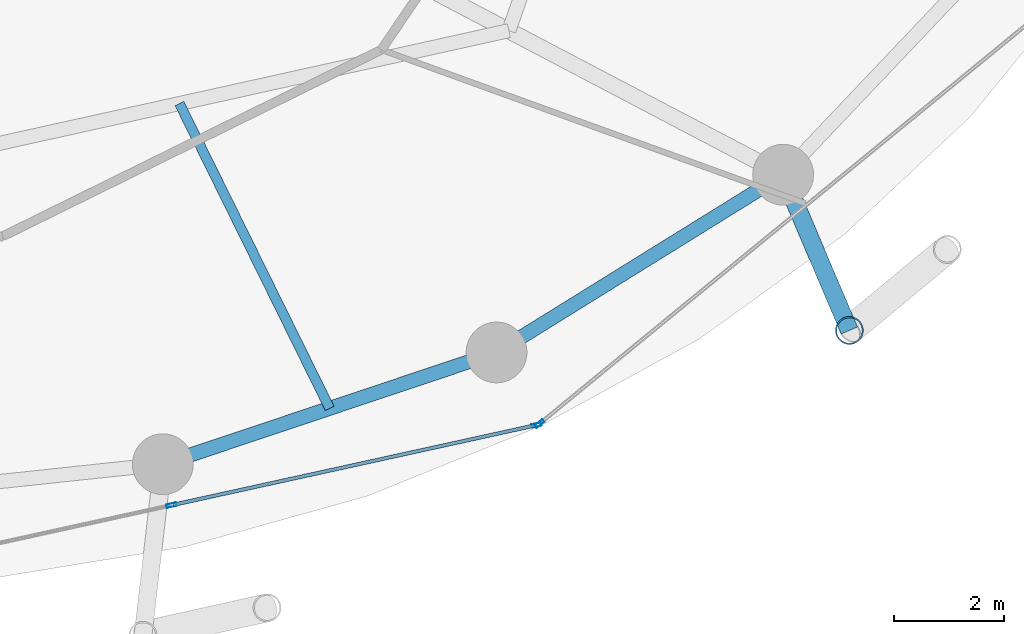
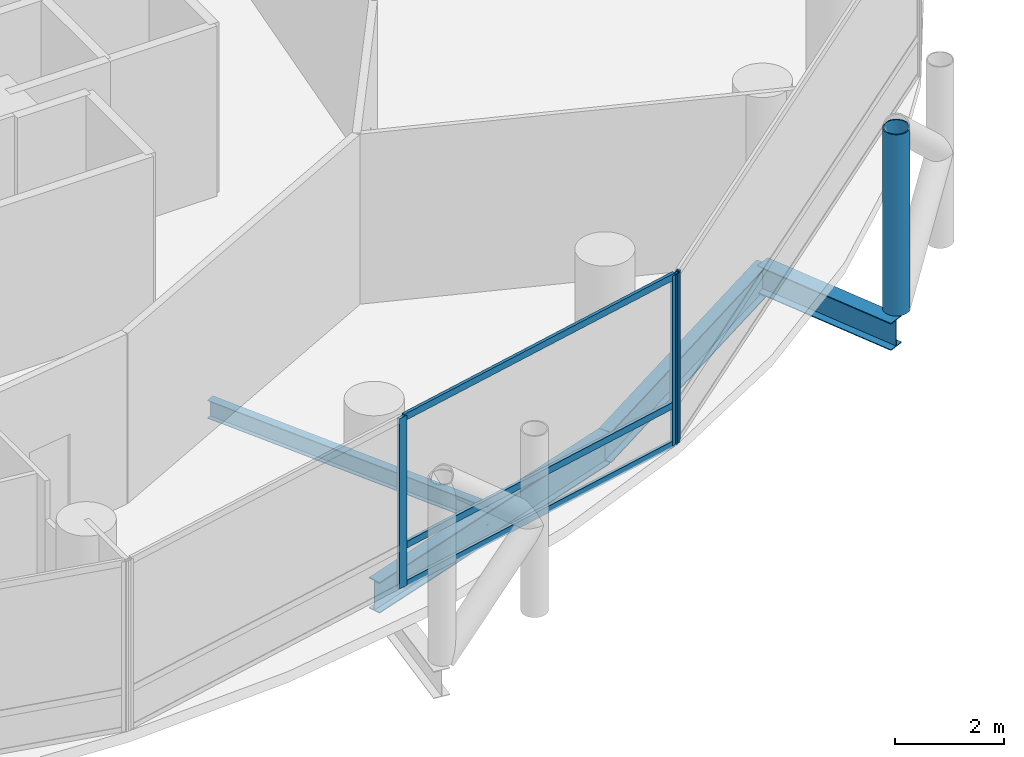
# One storey, part 8 of 25: 7 members, 4 beams, 2 elements without a shape of their own.
"""IFC4 building model written with IfcOpenShell, lengths in metres."""

from ifc_helpers import new_model, si_unit, direction, frame, origin, origin_2d, place, context, subcontext, project, spatial, hollow_rectangle, hollow_circle, i_section, extrude, material, layer, layer_set, material_profile, profile_set, type_object, element, aggregate, save


model = new_model("IFC4")

# Units and contexts
model_context = context("Model", 3, precision=1e-05, world=origin(), true_north=direction((0.0, 1.0)))
body_context = subcontext(model_context, "Body", "Model", "MODEL_VIEW")
ifc_project = project(units=[si_unit("LENGTHUNIT", "METRE"), si_unit("AREAUNIT", "SQUARE_METRE"), si_unit("VOLUMEUNIT", "CUBIC_METRE"), si_unit("PLANEANGLEUNIT", "RADIAN"), si_unit("MASSUNIT", "GRAM", prefix="KILO")], contexts=[model_context])

# Site, building, storey
site_placement = place(None, origin())
site = spatial("IfcSite", under=ifc_project, at=site_placement, CompositionType="ELEMENT")
building_placement = place(site_placement, origin())
building = spatial("IfcBuilding", under=site, at=building_placement, Name="Nuhasar Tower", CompositionType="ELEMENT")
storey_placement = place(building_placement, frame((0.0, 0.0, 65.550048828125)))
storey = spatial("IfcBuildingStorey", under=building, at=storey_placement, Name="L15", CompositionType="ELEMENT", Elevation=65.550048828125)

# Beams
ifc_material_1 = material(Name="Steel S355", Category="steel")
ifc_material_profile_1 = material_profile(ifc_material_1, i_section(OverallWidth=0.177978515625, OverallDepth=0.406005859375, WebThickness=0.0078125, FlangeThickness=0.0126953125, at=origin_2d()), Name="W16X40")
ifc_profile_set_1 = profile_set([ifc_material_profile_1], Name="Steel S355")
beam_type_1 = type_object("IfcBeamType", Name="BM-JST-W16X40", PredefinedType="JOIST", material=ifc_profile_set_1)
beam_1_placement = place(storey_placement, frame((45.783935546875, 13.77001953125, -0.453125), z_axis=(0.442126747458, -0.89695258469, 0.0), x_axis=(0.89695258469, 0.442126747458, 0.0)))
element("IfcBeam", 1, at=beam_1_placement, inside=storey, type_object=beam_type_1, Name="L15 Secondary Floor Joist 02", PredefinedType="JOIST", context=body_context, shape_type="SweptSolid", body=[
    extrude(i_section(OverallWidth=0.177978515625, OverallDepth=0.406005859375, WebThickness=0.0078125, FlangeThickness=0.0126953125, at=origin_2d()), origin(), (0.0, 0.0, 1.0), 6.152099609375),
])
ifc_material_profile_2 = material_profile(ifc_material_1, i_section(OverallWidth=0.256103515625, OverallDepth=0.693115234375, WebThickness=0.014404296875, FlangeThickness=0.023681640625, at=origin_2d()), Name="W27X114")
ifc_profile_set_2 = profile_set([ifc_material_profile_2], Name="Steel S355")
beam_type_2 = type_object("IfcBeamType", Name="BM-RING-W27X114", PredefinedType="SPANDREL", material=ifc_profile_set_2)
beam_2_placement = place(storey_placement, frame((45.48291015625, 7.239990234375, -0.59716796875), z_axis=(0.94826097201, 0.317491935271, 0.0), x_axis=(-0.317491935271, 0.94826097201, 0.0)))
element("IfcBeam", 2, at=beam_2_placement, inside=storey, type_object=beam_type_2, Name="L15 Perimeter Ring Spandrel 20", PredefinedType="SPANDREL", context=body_context, shape_type="SweptSolid", body=[
    extrude(i_section(OverallWidth=0.256103515625, OverallDepth=0.693115234375, WebThickness=0.014404296875, FlangeThickness=0.023681640625, at=origin_2d()), origin(), (0.0, 0.0, 1.0), 6.37158203125),
])
beam_3_placement = place(storey_placement, frame((51.52490234375, 9.262939453125, -0.59716796875), z_axis=(0.849795216549, 0.527112976439, 0.0), x_axis=(-0.527112976439, 0.849795216549, 0.0)))
element("IfcBeam", 3, at=beam_3_placement, inside=storey, type_object=beam_type_2, Name="L15 Perimeter Ring Spandrel 21", PredefinedType="SPANDREL", context=body_context, shape_type="SweptSolid", body=[
    extrude(i_section(OverallWidth=0.256103515625, OverallDepth=0.693115234375, WebThickness=0.014404296875, FlangeThickness=0.023681640625, at=origin_2d()), origin(), (0.0, 0.0, 1.0), 6.10498046875),
])
ifc_material_profile_3 = material_profile(ifc_material_1, i_section(OverallWidth=0.323974609375, OverallDepth=0.611083984375, WebThickness=0.0126953125, FlangeThickness=0.01904296875, at=origin_2d()), Name="W24X104")
ifc_profile_set_3 = profile_set([ifc_material_profile_3], Name="Steel S355")
beam_type_3 = type_object("IfcBeamType", Name="BM-TIE-W24X104", PredefinedType="BEAM", material=ifc_profile_set_3)
beam_4_placement = place(storey_placement, frame((56.712890625, 12.48095703125, -0.554931640625), z_axis=(0.391601084021, -0.920135093882, 0.0), x_axis=(0.920135093882, 0.391601084021, 0.0)))
element("IfcBeam", 4, at=beam_4_placement, inside=storey, type_object=beam_type_3, Name="L15 Exoskeleton Node Tie Beam 11", PredefinedType="BEAM", context=body_context, shape_type="SweptSolid", body=[
    extrude(i_section(OverallWidth=0.323974609375, OverallDepth=0.611083984375, WebThickness=0.0126953125, FlangeThickness=0.01904296875, at=origin_2d()), origin(), (0.0, 0.0, 1.0), 3.06494140625),
])

# Curtain wall, members
ifc_material_2 = material(Name="Aluminium 6063-T6", Category="aluminium")
ifc_layer = layer(ifc_material_2, 0.199951171875)
ifc_layer_set = layer_set([ifc_layer], Name="Aluminium 6063-T6")
curtain_wall_type = type_object("IfcCurtainWallType", Name="CW-Z1-OFF", PredefinedType="NOTDEFINED", material=ifc_layer_set)
curtain_wall_1_placement = place(storey_placement, origin())
curtain_wall_1 = element("IfcCurtainWall", 5, at=curtain_wall_1_placement, inside=storey, type_object=curtain_wall_type, Name="L15 Unitised Curtain Wall 10", PredefinedType="NOTDEFINED")
ifc_material_profile_4 = material_profile(ifc_material_2, hollow_rectangle(XDim=0.06494140625, YDim=0.179931640625, WallThickness=0.0048828125, at=origin_2d()), Name="CWM-2")
ifc_profile_set_4 = profile_set([ifc_material_profile_4], Name="Aluminium 6063-T6")
member_type_1 = type_object("IfcMemberType", Name="CW-MUL-S2", PredefinedType="MULLION", material=ifc_profile_set_4)
member_1_placement = place(storey_placement, frame((45.639892578125, 6.49755859375, 0.0), z_axis=(0.0, 0.0, 1.0), x_axis=(-0.214398737637, 0.976746221544, 0.0)))
member_1 = element("IfcMember", 6, at=member_1_placement, type_object=member_type_1, Name="CW-Z1 mullion 2", PredefinedType="MULLION", context=body_context, shape_type="SweptSolid", body=[
    extrude(hollow_rectangle(XDim=0.06494140625, YDim=0.179931640625, WallThickness=0.0048828125, at=origin_2d()), origin(), (0.0, 0.0, 1.0), 3.800048828125),
])
member_2_placement = place(storey_placement, frame((52.248291015625, 7.947998046875, 0.0), z_axis=(0.0, 0.0, 1.0), x_axis=(-0.214398737637, 0.976746221544, 0.0)))
member_2 = element("IfcMember", 7, at=member_2_placement, type_object=member_type_1, Name="CW-Z1 mullion 3", PredefinedType="MULLION", context=body_context, shape_type="SweptSolid", body=[
    extrude(hollow_rectangle(XDim=0.06494140625, YDim=0.179931640625, WallThickness=0.0048828125, at=origin_2d()), origin(), (0.0, 0.0, 1.0), 3.800048828125),
])

# Curtain wall, member
curtain_wall_2_placement = place(storey_placement, origin())
curtain_wall_2 = element("IfcCurtainWall", 8, at=curtain_wall_2_placement, inside=storey, type_object=curtain_wall_type, Name="L15 Unitised Curtain Wall 11", PredefinedType="NOTDEFINED")
member_3_placement = place(storey_placement, frame((52.30517578125, 7.9755859375, 0.0), z_axis=(0.0, 0.0, 1.0), x_axis=(-0.633744593376, 0.773542364946, 0.0)))
member_3 = element("IfcMember", 9, at=member_3_placement, type_object=member_type_1, Name="CW-Z1 mullion 1", PredefinedType="MULLION", context=body_context, shape_type="SweptSolid", body=[
    extrude(hollow_rectangle(XDim=0.06494140625, YDim=0.179931640625, WallThickness=0.0048828125, at=origin_2d()), origin(), (0.0, 0.0, 1.0), 3.800048828125),
])
aggregate(curtain_wall_2, [member_3])

# Member
ifc_material_profile_5 = material_profile(ifc_material_2, hollow_rectangle(XDim=0.06494140625, YDim=0.14990234375, WallThickness=0.00439453125, at=origin_2d()), Name="CWT-2")
ifc_profile_set_5 = profile_set([ifc_material_profile_5], Name="Aluminium 6063-T6")
member_type_2 = type_object("IfcMemberType", Name="CW-TRN-S2", PredefinedType="USERDEFINED", material=ifc_profile_set_5)
member_4_placement = place(storey_placement, frame((45.671630859375, 6.50439453125, 0.032470703125), z_axis=(0.976741923778, 0.214418316228, 0.0), x_axis=(-0.214418316228, 0.976741923778, 0.0)))
member_4 = element("IfcMember", 10, at=member_4_placement, type_object=member_type_2, Name="CW-Z1 transom 2.1", ObjectType="TRANSOM", PredefinedType="USERDEFINED", context=body_context, shape_type="SweptSolid", body=[
    extrude(hollow_rectangle(XDim=0.06494140625, YDim=0.14990234375, WallThickness=0.00439453125, at=origin_2d()), origin(), (0.0, 0.0, 1.0), 6.70068359375),
])

member_5_placement = place(storey_placement, frame((45.671630859375, 6.50439453125, 0.89990234375), z_axis=(0.976741923778, 0.214418316228, 0.0), x_axis=(-0.214418316228, 0.976741923778, 0.0)))
member_5 = element("IfcMember", 11, at=member_5_placement, type_object=member_type_2, Name="CW-Z1 transom 2.2", ObjectType="TRANSOM", PredefinedType="USERDEFINED", context=body_context, shape_type="SweptSolid", body=[
    extrude(hollow_rectangle(XDim=0.06494140625, YDim=0.14990234375, WallThickness=0.00439453125, at=origin_2d()), origin(), (0.0, 0.0, 1.0), 6.70068359375),
])

member_6_placement = place(storey_placement, frame((45.671630859375, 6.50439453125, 3.767333984375), z_axis=(0.976741923778, 0.214418316228, 0.0), x_axis=(-0.214418316228, 0.976741923778, 0.0)))
member_6 = element("IfcMember", 12, at=member_6_placement, type_object=member_type_2, Name="CW-Z1 transom 2.3", ObjectType="TRANSOM", PredefinedType="USERDEFINED", context=body_context, shape_type="SweptSolid", body=[
    extrude(hollow_rectangle(XDim=0.06494140625, YDim=0.14990234375, WallThickness=0.00439453125, at=origin_2d()), origin(), (0.0, 0.0, 1.0), 6.70068359375),
])

aggregate(curtain_wall_1, [member_1, member_2, member_4, member_5, member_6])

ifc_material_3 = material(Name="Steel S460", Category="steel")
ifc_material_profile_6 = material_profile(ifc_material_3, hollow_circle(Radius=0.25390625, WallThickness=0.025390625, at=origin_2d()), Name="HSS508X25.4")
ifc_profile_set_6 = profile_set([ifc_material_profile_6], Name="Steel S460")
member_type_3 = type_object("IfcMemberType", Name="EXO-BRONZE-508", PredefinedType="BRACE", material=ifc_profile_set_6)
member_7_placement = place(storey_placement, frame((57.9130859375, 9.660888671875, 0.0), z_axis=(0.0, 0.0, 1.0), x_axis=(1.0, 0.0, 0.0)))
element("IfcMember", 13, at=member_7_placement, inside=storey, type_object=member_type_3, Name="L15 Exoskeleton Chord Column EC-11A", PredefinedType="BRACE", context=body_context, shape_type="SweptSolid", body=[
    extrude(hollow_circle(Radius=0.25390625, WallThickness=0.025390625, at=origin_2d()), origin(), (0.0, 0.0, 1.0), 4.050048828125),
])

save(model, "model.ifc")
